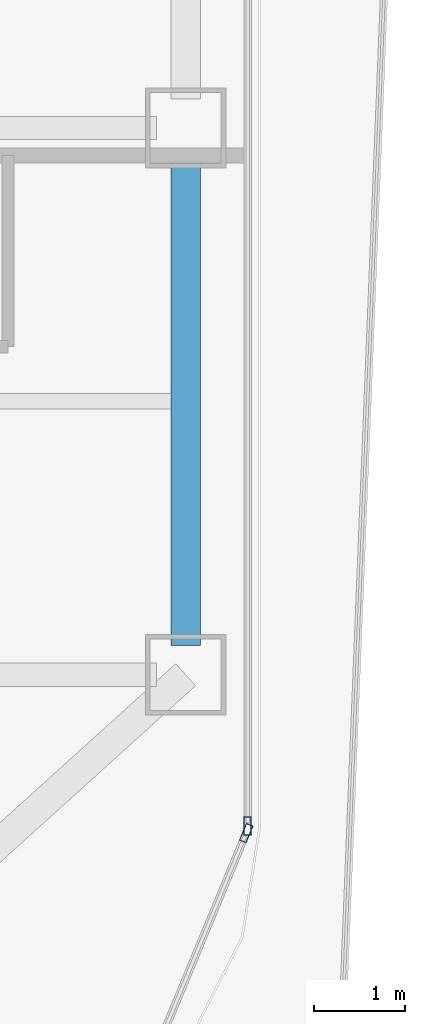
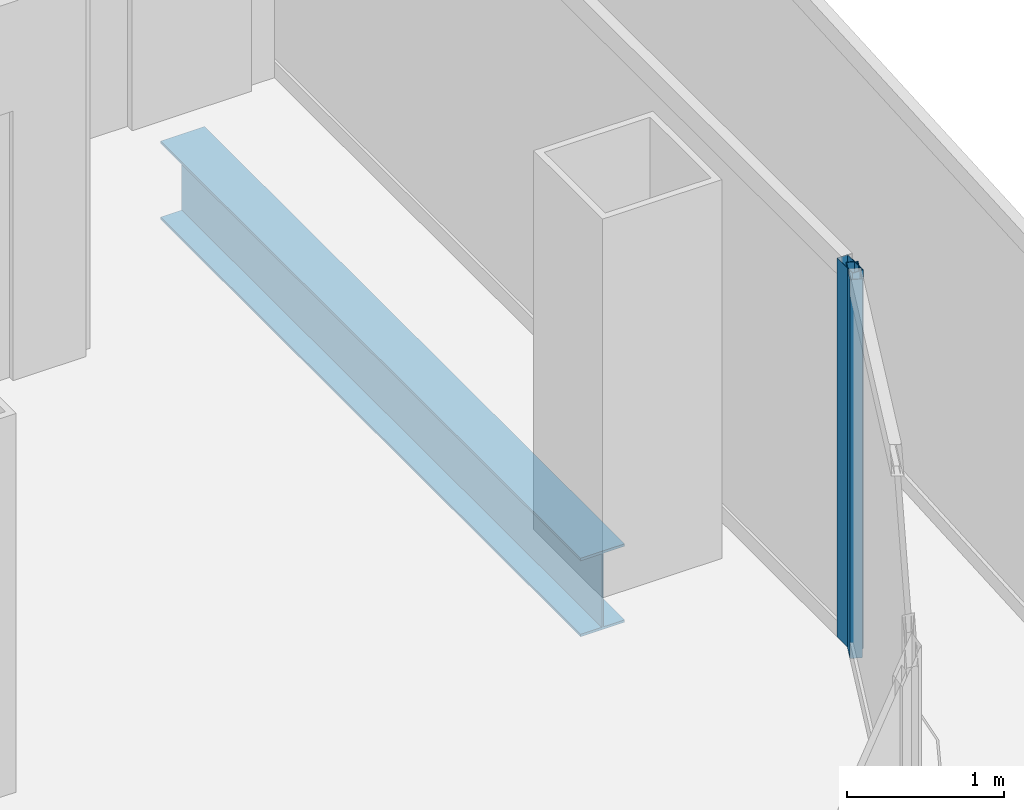
# One storey, part 8 of 21: 2 members, 1 beam, 2 elements without a shape of their own.
"""IFC4 building model written with IfcOpenShell, lengths in metres."""

from ifc_helpers import new_model, si_unit, direction, frame, origin, origin_2d, place, context, subcontext, project, spatial, hollow_rectangle, i_section, extrude, source, transform, mapped, material, layer, layer_set, material_profile, profile_set, type_object, element, aggregate, save


model = new_model("IFC4")

# Units and contexts
model_context = context("Model", 3, precision=1e-05, world=origin(), true_north=direction((0.0, 1.0)))
body_context = subcontext(model_context, "Body", "Model", "MODEL_VIEW")
ifc_project = project(units=[si_unit("LENGTHUNIT", "METRE"), si_unit("AREAUNIT", "SQUARE_METRE"), si_unit("VOLUMEUNIT", "CUBIC_METRE"), si_unit("PLANEANGLEUNIT", "RADIAN"), si_unit("MASSUNIT", "GRAM", prefix="KILO")], contexts=[model_context])

# Site, building, storey
site_placement = place(None, origin())
site = spatial("IfcSite", under=ifc_project, at=site_placement, CompositionType="ELEMENT")
building_placement = place(site_placement, origin())
building = spatial("IfcBuilding", under=site, at=building_placement, Name="Kolveth Station Tower", CompositionType="ELEMENT")
storey_placement = place(building_placement, frame((0.0, 0.0, 121.5)))
storey = spatial("IfcBuildingStorey", under=building, at=storey_placement, Name="L33", CompositionType="ELEMENT", Elevation=121.5)

# Beam
ifc_material_1 = material(Name="Steel S355", Category="steel")
ifc_material_profile_1 = material_profile(ifc_material_1, i_section(OverallWidth=0.323974609375, OverallDepth=0.611083984375, WebThickness=0.0126953125, FlangeThickness=0.01904296875, at=origin_2d()), Name="W610x155")
ifc_profile_set_1 = profile_set([ifc_material_profile_1], Name="Steel S355")
beam_type = type_object("IfcBeamType", Name="Beam_SP2", PredefinedType="SPANDREL", material=ifc_profile_set_1)
shared_shape_1 = source(origin(), body_context, "Body", "SweptSolid", [
    extrude(i_section(OverallWidth=0.323974609375, OverallDepth=0.611083984375, WebThickness=0.0126953125, FlangeThickness=0.01904296875, at=origin_2d()), origin(), (0.0, 0.0, 1.0), 5.35986328125),
])
beam_placement = place(storey_placement, frame((46.199951171875, 5.820068359375, -0.555419921875), z_axis=(0.0, 1.0, 0.0), x_axis=(-1.0, 0.0, 0.0)))
element("IfcBeam", 1, at=beam_placement, inside=storey, type_object=beam_type, Name="L33 Perimeter Spandrel BM-L33-PE-1", PredefinedType="SPANDREL", context=body_context, shape_type="MappedRepresentation", body=[
    mapped(shared_shape_1, transform((0.0, 0.0, 0.0), x_axis=(1.0, 0.0, 0.0), y_axis=(0.0, 1.0, 0.0), z_axis=(0.0, 0.0, 1.0), scale=1.0)),
])

# Curtain wall, member
ifc_material_2 = material(Name="Aluminium 6063-T6 and low-E dark glass", Category="aluminium")
ifc_layer = layer(ifc_material_2, 0.18994140625)
ifc_layer_set = layer_set([ifc_layer], Name="Aluminium 6063-T6 and low-E dark glass")
curtain_wall_type = type_object("IfcCurtainWallType", Name="CurtainWall_CW-Z2", PredefinedType="NOTDEFINED", material=ifc_layer_set)
curtain_wall_1_placement = place(storey_placement, origin())
curtain_wall_1 = element("IfcCurtainWall", 2, at=curtain_wall_1_placement, inside=storey, type_object=curtain_wall_type, Name="L33 Inner Thermal Curtain Wall 2", PredefinedType="NOTDEFINED")
ifc_material_3 = material(Name="Black anodized aluminium 6063-T6", Category="aluminium")
ifc_material_profile_2 = material_profile(ifc_material_3, hollow_rectangle(XDim=0.080078125, YDim=0.199951171875, WallThickness=0.0048828125, at=origin_2d()), Name="ALU-80x200x5")
ifc_profile_set_2 = profile_set([ifc_material_profile_2], Name="Black anodized aluminium 6063-T6")
member_type = type_object("IfcMemberType", Name="Mullion_ML2", PredefinedType="MULLION", material=ifc_profile_set_2)
shared_shape_2 = source(origin(), body_context, "Body", "SweptSolid", [
    extrude(hollow_rectangle(XDim=0.080078125, YDim=0.199951171875, WallThickness=0.0048828125, at=origin_2d()), origin(), (0.0, 0.0, 1.0), 2.949951171875),
])
member_1_placement = place(storey_placement, frame((46.86474609375, 3.762939453125, 0.0), z_axis=(0.0, 0.0, 1.0), x_axis=(-0.923887883787, 0.38266326998, 0.0)))
member_1 = element("IfcMember", 3, at=member_1_placement, type_object=member_type, Name="CW-Z2 mullion 2", PredefinedType="MULLION", context=body_context, shape_type="MappedRepresentation", body=[
    mapped(shared_shape_2, transform((0.0, 0.0, 0.0), x_axis=(1.0, 0.0, 0.0), y_axis=(0.0, 1.0, 0.0), z_axis=(0.0, 0.0, 1.0), scale=1.0)),
])
aggregate(curtain_wall_1, [member_1])

curtain_wall_2_placement = place(storey_placement, origin())
curtain_wall_2 = element("IfcCurtainWall", 4, at=curtain_wall_2_placement, inside=storey, type_object=curtain_wall_type, Name="L33 Inner Thermal Curtain Wall 3", PredefinedType="NOTDEFINED")
member_2_placement = place(storey_placement, frame((46.8798828125, 3.840087890625, 0.0), z_axis=(0.0, 0.0, 1.0), x_axis=(-1.0, 0.0, 0.0)))
member_2 = element("IfcMember", 5, at=member_2_placement, type_object=member_type, Name="CW-Z2 mullion 1", PredefinedType="MULLION", context=body_context, shape_type="MappedRepresentation", body=[
    mapped(shared_shape_2, transform((0.0, 0.0, 0.0), x_axis=(1.0, 0.0, 0.0), y_axis=(0.0, 1.0, 0.0), z_axis=(0.0, 0.0, 1.0), scale=1.0)),
])
aggregate(curtain_wall_2, [member_2])

save(model, "model.ifc")
